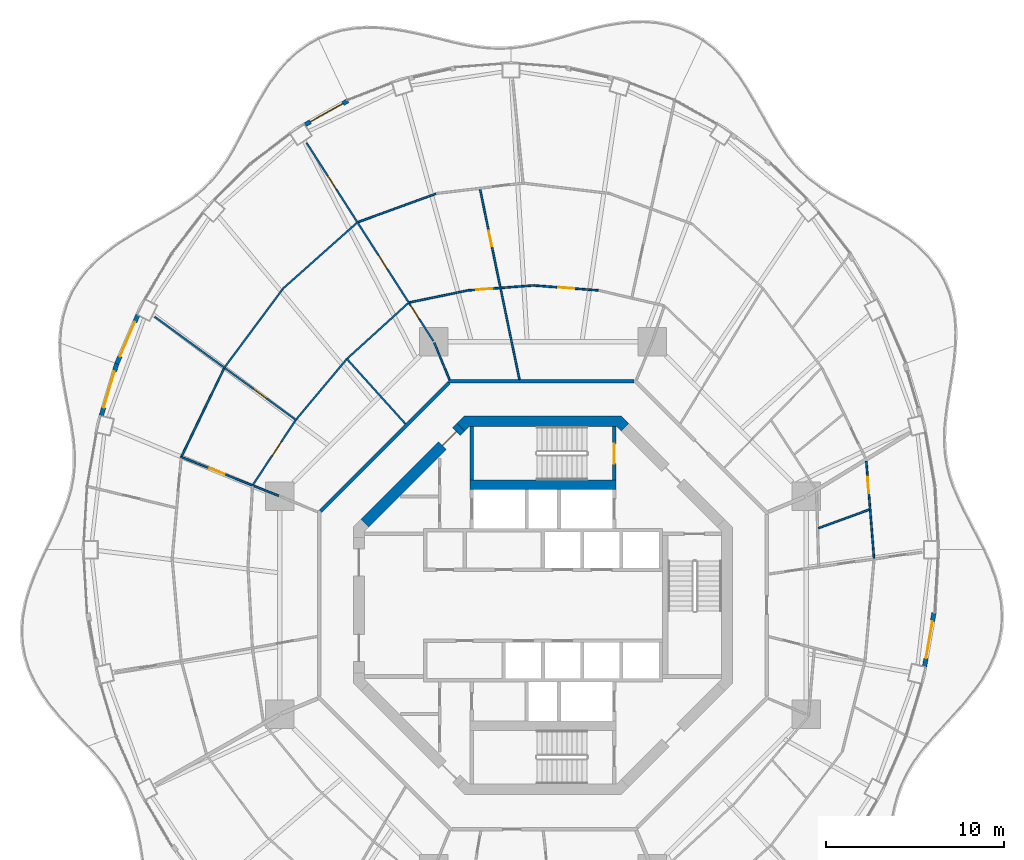
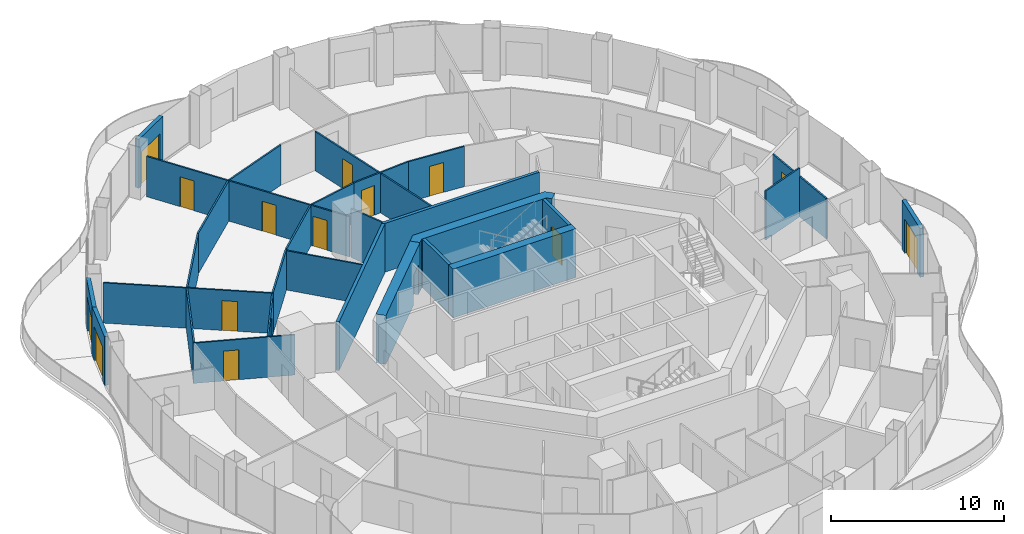
# One storey, part 13 of 18: 29 walls, 16 doors, 16 openings.
"""IFC4 building model written with IfcOpenShell, lengths in metres."""

from ifc_helpers import new_model, si_unit, direction, frame, frame_2d, origin, place, context, subcontext, project, spatial, polyline, rectangle, outline, extrude, material, layer, layer_set, type_object, element, fill, save


model = new_model("IFC4")

# Units and contexts
model_context = context("Model", 3, precision=1e-05, world=origin(), true_north=direction((0.0, 1.0)))
body_context = subcontext(model_context, "Body", "Model", "MODEL_VIEW")
ifc_project = project(units=[si_unit("LENGTHUNIT", "METRE"), si_unit("AREAUNIT", "SQUARE_METRE"), si_unit("VOLUMEUNIT", "CUBIC_METRE"), si_unit("PLANEANGLEUNIT", "RADIAN"), si_unit("MASSUNIT", "GRAM", prefix="KILO")], contexts=[model_context])

# Site, building, storey
site_placement = place(None, origin())
site = spatial("IfcSite", under=ifc_project, at=site_placement, CompositionType="ELEMENT")
building_placement = place(site_placement, origin())
building = spatial("IfcBuilding", under=site, at=building_placement, Name="Nagisa Residences", CompositionType="ELEMENT")
storey_placement = place(building_placement, frame((0.0, 0.0, 245.5)))
storey = spatial("IfcBuildingStorey", under=building, at=storey_placement, Name="L62", CompositionType="ELEMENT", Elevation=245.5)

# Walls
ifc_material_1 = material(Name="Gypsum board on steel studs", Category="steel")
ifc_layer_1 = layer(ifc_material_1, 0.199951171875)
ifc_layer_set_1 = layer_set([ifc_layer_1], Name="Apartment entry wall EI60 200")
wall_type_1 = type_object("IfcWallType", Name="Apartment entry wall EI60 200", PredefinedType="PARTITIONING", material=ifc_layer_set_1)
wall_1_placement = place(storey_placement, frame((5.1044921875, 12.564697265625, 0.0), z_axis=(0.0, 0.0, 1.0), x_axis=(-1.0, 0.0, 0.0)))
element("IfcWall", 1, at=wall_1_placement, inside=storey, type_object=wall_type_1, Name="wall:L62:u08", PredefinedType="PARTITIONING", context=body_context, shape_type="SweptSolid", body=[
    extrude(rectangle(XDim=10.408935546875, YDim=0.199951171875, at=frame_2d((5.20458984375, 0.0))), origin(), (0.0, 0.0, 1.0), 3.43994140625),
])
wall_2_placement = place(storey_placement, frame((-5.275146484375, 12.494140625, 0.0), z_axis=(0.0, 0.0, 1.0), x_axis=(-0.707106781187, -0.707106781187, 0.0)))
element("IfcWall", 2, at=wall_2_placement, inside=storey, type_object=wall_type_1, Name="wall:L62:u09", PredefinedType="PARTITIONING", context=body_context, shape_type="SweptSolid", body=[
    extrude(rectangle(XDim=10.209228515625, YDim=0.199951171875, at=frame_2d((5.1044921875, 0.0))), origin(), (0.0, 0.0, 1.0), 3.43994140625),
])

# Wall, opening, door
ifc_material_2 = material(Name="Gypsum board on steel studs", Category="steel")
ifc_layer_2 = layer(ifc_material_2, 0.10009765625)
ifc_layer_set_2 = layer_set([ifc_layer_2], Name="Apartment partition 100")
wall_type_2 = type_object("IfcWallType", Name="Apartment partition 100", PredefinedType="PARTITIONING", material=ifc_layer_set_2)
wall_3_placement = place(storey_placement, frame((18.578125, 2.64208984375, 0.0), z_axis=(0.0, 0.0, 1.0), x_axis=(-0.079188322924, 0.996859673932, 0.0)))
wall_3 = element("IfcWall", 3, at=wall_3_placement, inside=storey, type_object=wall_type_2, Name="wall:L62:u16", PredefinedType="PARTITIONING", context=body_context, shape_type="SweptSolid", body=[
    extrude(rectangle(XDim=5.453857421875, YDim=0.10009765625, at=frame_2d((2.72705078125, 0.0))), origin(), (0.0, 0.0, 1.0), 2.8369140625),
])
opening_1_placement = place(wall_3_placement, frame((3.653076171875, 0.0, 0.0)))
opening_1 = element("IfcOpeningElement", 4, at=opening_1_placement, cuts=wall_3, Name="Opening L62-U11", PredefinedType="OPENING", context=body_context, shape_type="SweptSolid", body=[
    extrude(rectangle(XDim=0.89990234375, YDim=2.10009765625, at=frame_2d((0.449951171875, 1.050048828125))), frame((0.0, 0.06005859375, 0.0), z_axis=(0.0, -1.0, 0.0), x_axis=(1.0, 0.0, 0.0)), (0.0, 0.0, 1.0), 0.1201171875),
])
ifc_material_3 = material(Name="Timber door set", Category="wood")
door_type_1 = type_object("IfcDoorType", Name="Apartment door 900x2100", OperationType="NOTDEFINED", PredefinedType="DOOR", material=ifc_material_3)
door_1_placement = place(opening_1_placement, origin())
door_1 = element("IfcDoor", 5, at=door_1_placement, inside=storey, type_object=door_type_1, Name="Door to en-suite bathroom, Apartment 62A", OperationType="SINGLE_SWING_LEFT", OverallHeight=2.10009765625, OverallWidth=0.89990234375, PredefinedType="DOOR", context=body_context, shape_type="SweptSolid", body=[
    extrude(rectangle(XDim=0.89990234375, YDim=2.10009765625, at=frame_2d((0.449951171875, 1.050048828125))), frame((0.0, 0.02490234375, 0.0), z_axis=(0.0, -1.0, 0.0), x_axis=(1.0, 0.0, 0.0)), (0.0, 0.0, 1.0), 0.050048828125),
])
fill(opening_1, door_1)

# Wall
wall_4_placement = place(storey_placement, frame((15.4599609375, 4.327392578125, 0.0), z_axis=(0.0, 0.0, 1.0), x_axis=(0.939452643938, 0.342678755977, 0.0)))
element("IfcWall", 6, at=wall_4_placement, inside=storey, type_object=wall_type_2, Name="wall:L62:u18", PredefinedType="PARTITIONING", context=body_context, shape_type="SweptSolid", body=[
    extrude(rectangle(XDim=3.037109375, YDim=0.10009765625, at=frame_2d((1.5185546875, 0.0))), origin(), (0.0, 0.0, 1.0), 3.43994140625),
])

# Wall, opening, door
wall_5_placement = place(storey_placement, frame((3.1005859375, 17.67138671875, 0.0), z_axis=(0.0, 0.0, 1.0), x_axis=(-0.997133705575, 0.075659587668, 0.0)))
wall_5 = element("IfcWall", 7, at=wall_5_placement, inside=storey, type_object=wall_type_2, Name="wall:L62:u33", PredefinedType="PARTITIONING", context=body_context, shape_type="SweptSolid", body=[
    extrude(rectangle(XDim=3.60107421875, YDim=0.10009765625, at=frame_2d((1.800537109375, 0.0))), origin(), (0.0, 0.0, 1.0), 2.8369140625),
])
opening_2_placement = place(wall_5_placement, frame((1.3505859375, 0.0, 0.0)))
opening_2 = element("IfcOpeningElement", 8, at=opening_2_placement, cuts=wall_5, Name="Opening L62-U31", PredefinedType="OPENING", context=body_context, shape_type="SweptSolid", body=[
    extrude(rectangle(XDim=0.89990234375, YDim=2.10009765625, at=frame_2d((0.449951171875, 1.050048828125))), frame((0.0, 0.06005859375, 0.0), z_axis=(0.0, -1.0, 0.0), x_axis=(1.0, 0.0, 0.0)), (0.0, 0.0, 1.0), 0.1201171875),
])
door_2_placement = place(opening_2_placement, origin())
door_2 = element("IfcDoor", 9, at=door_2_placement, inside=storey, type_object=door_type_1, Name="Door to store, Apartment 62B", OperationType="SINGLE_SWING_LEFT", OverallHeight=2.10009765625, OverallWidth=0.89990234375, PredefinedType="DOOR", context=body_context, shape_type="SweptSolid", body=[
    extrude(rectangle(XDim=0.89990234375, YDim=2.10009765625, at=frame_2d((0.449951171875, 1.050048828125))), frame((0.0, 0.02490234375, 0.0), z_axis=(0.0, -1.0, 0.0), x_axis=(1.0, 0.0, 0.0)), (0.0, 0.0, 1.0), 0.050048828125),
])
fill(opening_2, door_2)

wall_6_placement = place(storey_placement, frame((-0.490234375, 17.951416015625, 0.0), z_axis=(0.0, 0.0, 1.0), x_axis=(-0.99713329702, -0.075664971907, 0.0)))
wall_6 = element("IfcWall", 10, at=wall_6_placement, inside=storey, type_object=wall_type_2, Name="wall:L62:u35", PredefinedType="PARTITIONING", context=body_context, shape_type="SweptSolid", body=[
    extrude(rectangle(XDim=3.801025390625, YDim=0.10009765625, at=frame_2d((1.900390625, 0.0))), origin(), (0.0, 0.0, 1.0), 2.8369140625),
])
opening_3_placement = place(wall_6_placement, frame((2.375732421875, 0.0, 0.0)))
opening_3 = element("IfcOpeningElement", 11, at=opening_3_placement, cuts=wall_6, Name="Opening L62-U32", PredefinedType="OPENING", context=body_context, shape_type="SweptSolid", body=[
    extrude(rectangle(XDim=0.89990234375, YDim=2.10009765625, at=frame_2d((0.449951171875, 1.050048828125))), frame((0.0, 0.06005859375, 0.0), z_axis=(0.0, -1.0, 0.0), x_axis=(1.0, 0.0, 0.0)), (0.0, 0.0, 1.0), 0.1201171875),
])
door_3_placement = place(opening_3_placement, origin())
door_3 = element("IfcDoor", 12, at=door_3_placement, inside=storey, type_object=door_type_1, Name="Door to laundry, Apartment 62B", OperationType="SINGLE_SWING_RIGHT", OverallHeight=2.10009765625, OverallWidth=0.89990234375, PredefinedType="DOOR", context=body_context, shape_type="SweptSolid", body=[
    extrude(rectangle(XDim=0.89990234375, YDim=2.10009765625, at=frame_2d((0.449951171875, 1.050048828125))), frame((0.0, 0.02490234375, 0.0), z_axis=(0.0, -1.0, 0.0), x_axis=(1.0, 0.0, 0.0)), (0.0, 0.0, 1.0), 0.050048828125),
])
fill(opening_3, door_3)

wall_7_placement = place(storey_placement, frame((-1.3212890625, 12.66259765625, 0.0), z_axis=(0.0, 0.0, 1.0), x_axis=(-0.202499831859, 0.979282297449, 0.0)))
wall_7 = element("IfcWall", 13, at=wall_7_placement, inside=storey, type_object=wall_type_2, Name="wall:L62:u38", PredefinedType="PARTITIONING", context=body_context, shape_type="SweptSolid", body=[
    extrude(rectangle(XDim=10.91455078125, YDim=0.10009765625, at=frame_2d((5.457275390625, 0.0))), origin(), (0.0, 0.0, 1.0), 2.761962890625),
])
opening_4_placement = place(wall_7_placement, frame((7.63427734375, 0.0, 0.0)))
opening_4 = element("IfcOpeningElement", 14, at=opening_4_placement, cuts=wall_7, Name="Opening L62-U19", PredefinedType="OPENING", context=body_context, shape_type="SweptSolid", body=[
    extrude(rectangle(XDim=0.89990234375, YDim=2.10009765625, at=frame_2d((0.449951171875, 1.050048828125))), frame((0.0, 0.06005859375, 0.0), z_axis=(0.0, -1.0, 0.0), x_axis=(1.0, 0.0, 0.0)), (0.0, 0.0, 1.0), 0.1201171875),
])
door_4_placement = place(opening_4_placement, origin())
door_4 = element("IfcDoor", 15, at=door_4_placement, inside=storey, type_object=door_type_1, Name="Door to kitchen, Apartment 62B", OperationType="SINGLE_SWING_LEFT", OverallHeight=2.10009765625, OverallWidth=0.89990234375, PredefinedType="DOOR", context=body_context, shape_type="SweptSolid", body=[
    extrude(rectangle(XDim=0.89990234375, YDim=2.10009765625, at=frame_2d((0.449951171875, 1.050048828125))), frame((0.0, 0.02490234375, 0.0), z_axis=(0.0, -1.0, 0.0), x_axis=(1.0, 0.0, 0.0)), (0.0, 0.0, 1.0), 0.050048828125),
])
fill(opening_4, door_4)

# Walls
wall_8_placement = place(storey_placement, frame((-4.279541015625, 17.657470703125, 0.0), z_axis=(0.0, 0.0, 1.0), x_axis=(-0.979205232861, -0.202872156637, 0.0)))
element("IfcWall", 16, at=wall_8_placement, inside=storey, type_object=wall_type_2, Name="wall:L62:u39", PredefinedType="PARTITIONING", context=body_context, shape_type="SweptSolid", body=[
    extrude(rectangle(XDim=3.27099609375, YDim=0.10009765625, at=frame_2d((1.635498046875, 0.0))), origin(), (0.0, 0.0, 1.0), 2.8369140625),
])
wall_9_placement = place(storey_placement, frame((-6.01416015625, 23.093505859375, 0.0), z_axis=(0.0, 0.0, 1.0), x_axis=(-0.939417400947, -0.342775359089, 0.0)))
element("IfcWall", 17, at=wall_9_placement, inside=storey, type_object=wall_type_2, Name="wall:L62:u40", PredefinedType="PARTITIONING", context=body_context, shape_type="SweptSolid", body=[
    extrude(rectangle(XDim=4.632568359375, YDim=0.10009765625, at=frame_2d((2.31640625, 0.0))), origin(), (0.0, 0.0, 1.0), 2.8369140625),
])
wall_10_placement = place(storey_placement, frame((-5.24267578125, 12.6572265625, 0.0), z_axis=(0.0, 0.0, 1.0), x_axis=(-0.382757529444, 0.923848837015, 0.0)))
element("IfcWall", 18, at=wall_10_placement, inside=storey, type_object=wall_type_2, Name="wall:L62:u41", PredefinedType="PARTITIONING", context=body_context, shape_type="SweptSolid", body=[
    extrude(rectangle(XDim=2.249755859375, YDim=0.10009765625, at=frame_2d((1.125, 0.0))), origin(), (0.0, 0.0, 1.0), 3.43994140625),
])

# Wall, openings, doors
wall_11_placement = place(storey_placement, frame((-6.14990234375, 14.82421875, 0.0), z_axis=(0.0, 0.0, 1.0), x_axis=(-0.538870687577, 0.842388498301, 0.0)))
wall_11 = element("IfcWall", 19, at=wall_11_placement, inside=storey, type_object=wall_type_2, Name="wall:L62:u42", PredefinedType="PARTITIONING", context=body_context, shape_type="SweptSolid", body=[
    extrude(rectangle(XDim=13.212646484375, YDim=0.10009765625, at=frame_2d((6.6064453125, 0.0))), origin(), (0.0, 0.0, 1.0), 2.8369140625),
])
opening_5_placement = place(wall_11_placement, frame((4.787353515625, 0.0, 0.0)))
opening_5 = element("IfcOpeningElement", 20, at=opening_5_placement, cuts=wall_11, Name="Opening L62-U20", PredefinedType="OPENING", context=body_context, shape_type="SweptSolid", body=[
    extrude(rectangle(XDim=0.89990234375, YDim=2.10009765625, at=frame_2d((0.449951171875, 1.050048828125))), frame((0.0, 0.06005859375, 0.0), z_axis=(0.0, -1.0, 0.0), x_axis=(1.0, 0.0, 0.0)), (0.0, 0.0, 1.0), 0.1201171875),
])
opening_6_placement = place(wall_11_placement, frame((10.112060546875, 0.0, 0.0)))
opening_6 = element("IfcOpeningElement", 21, at=opening_6_placement, cuts=wall_11, Name="Opening L62-U27", PredefinedType="OPENING", context=body_context, shape_type="SweptSolid", body=[
    extrude(rectangle(XDim=0.89990234375, YDim=2.10009765625, at=frame_2d((0.449951171875, 1.050048828125))), frame((0.0, 0.06005859375, 0.0), z_axis=(0.0, -1.0, 0.0), x_axis=(1.0, 0.0, 0.0)), (0.0, 0.0, 1.0), 0.1201171875),
])
opening_7_placement = place(wall_11_placement, frame((1.4833984375, 0.0, 0.0)))
opening_7 = element("IfcOpeningElement", 22, at=opening_7_placement, cuts=wall_11, Name="Opening L62-U33", PredefinedType="OPENING", context=body_context, shape_type="SweptSolid", body=[
    extrude(rectangle(XDim=0.89990234375, YDim=2.10009765625, at=frame_2d((0.449951171875, 1.050048828125))), frame((0.0, 0.06005859375, 0.0), z_axis=(0.0, -1.0, 0.0), x_axis=(1.0, 0.0, 0.0)), (0.0, 0.0, 1.0), 0.1201171875),
])
door_5_placement = place(opening_5_placement, origin())
door_5 = element("IfcDoor", 23, at=door_5_placement, inside=storey, type_object=door_type_1, Name="Door to family room, Apartment 62B", OperationType="SINGLE_SWING_RIGHT", OverallHeight=2.10009765625, OverallWidth=0.89990234375, PredefinedType="DOOR", context=body_context, shape_type="SweptSolid", body=[
    extrude(rectangle(XDim=0.89990234375, YDim=2.10009765625, at=frame_2d((0.449951171875, 1.050048828125))), frame((0.0, 0.02490234375, 0.0), z_axis=(0.0, -1.0, 0.0), x_axis=(1.0, 0.0, 0.0)), (0.0, 0.0, 1.0), 0.050048828125),
])
fill(opening_5, door_5)
door_6_placement = place(opening_6_placement, origin())
door_6 = element("IfcDoor", 24, at=door_6_placement, inside=storey, type_object=door_type_1, Name="Door to family room, Apartment 62B", OperationType="SINGLE_SWING_LEFT", OverallHeight=2.10009765625, OverallWidth=0.89990234375, PredefinedType="DOOR", context=body_context, shape_type="SweptSolid", body=[
    extrude(rectangle(XDim=0.89990234375, YDim=2.10009765625, at=frame_2d((0.449951171875, 1.050048828125))), frame((0.0, 0.02490234375, 0.0), z_axis=(0.0, -1.0, 0.0), x_axis=(1.0, 0.0, 0.0)), (0.0, 0.0, 1.0), 0.050048828125),
])
fill(opening_6, door_6)
door_7_placement = place(opening_7_placement, origin())
door_7 = element("IfcDoor", 25, at=door_7_placement, inside=storey, type_object=door_type_1, Name="Door to store, Apartment 62B", OperationType="SINGLE_SWING_LEFT", OverallHeight=2.10009765625, OverallWidth=0.89990234375, PredefinedType="DOOR", context=body_context, shape_type="SweptSolid", body=[
    extrude(rectangle(XDim=0.89990234375, YDim=2.10009765625, at=frame_2d((0.449951171875, 1.050048828125))), frame((0.0, 0.02490234375, 0.0), z_axis=(0.0, -1.0, 0.0), x_axis=(1.0, 0.0, 0.0)), (0.0, 0.0, 1.0), 0.050048828125),
])
fill(opening_7, door_7)

# Walls
wall_12_placement = place(storey_placement, frame((-7.568359375, 16.949951171875, 0.0), z_axis=(0.0, 0.0, 1.0), x_axis=(-0.739848749506, -0.672773236577, 0.0)))
element("IfcWall", 26, at=wall_12_placement, inside=storey, type_object=wall_type_2, Name="wall:L62:u43", PredefinedType="PARTITIONING", context=body_context, shape_type="SweptSolid", body=[
    extrude(rectangle(XDim=4.59716796875, YDim=0.10009765625, at=frame_2d((2.298583984375, 0.0))), origin(), (0.0, 0.0, 1.0), 2.8369140625),
])
wall_13_placement = place(storey_placement, frame((-10.450439453125, 21.455322265625, 0.0), z_axis=(0.0, 0.0, 1.0), x_axis=(-0.747155565726, -0.664649201162, 0.0)))
element("IfcWall", 27, at=wall_13_placement, inside=storey, type_object=wall_type_2, Name="wall:L62:u44", PredefinedType="PARTITIONING", context=body_context, shape_type="SweptSolid", body=[
    extrude(rectangle(XDim=5.574951171875, YDim=0.10009765625, at=frame_2d((2.78759765625, 0.0))), origin(), (0.0, 0.0, 1.0), 2.8369140625),
])
wall_14_placement = place(storey_placement, frame((-7.724853515625, 10.185546875, 0.0), z_axis=(0.0, 0.0, 1.0), x_axis=(-0.669817301526, 0.742525947409, 0.0)))
element("IfcWall", 28, at=wall_14_placement, inside=storey, type_object=wall_type_2, Name="wall:L62:u45", PredefinedType="PARTITIONING", context=body_context, shape_type="SweptSolid", body=[
    extrude(rectangle(XDim=4.949462890625, YDim=0.10009765625, at=frame_2d((2.474609375, 0.0))), origin(), (0.0, 0.0, 1.0), 2.761962890625),
])
wall_15_placement = place(storey_placement, frame((-11.03857421875, 13.78515625, 0.0), z_axis=(0.0, 0.0, 1.0), x_axis=(-0.642258090087, -0.766488451131, 0.0)))
element("IfcWall", 29, at=wall_15_placement, inside=storey, type_object=wall_type_2, Name="wall:L62:u46", PredefinedType="PARTITIONING", context=body_context, shape_type="SweptSolid", body=[
    extrude(rectangle(XDim=4.36083984375, YDim=0.10009765625, at=frame_2d((2.180419921875, 0.0))), origin(), (0.0, 0.0, 1.0), 2.8369140625),
])
wall_16_placement = place(storey_placement, frame((-14.608154296875, 17.7431640625, 0.0), z_axis=(0.0, 0.0, 1.0), x_axis=(-0.596174489482, -0.8028548923, 0.0)))
element("IfcWall", 30, at=wall_16_placement, inside=storey, type_object=wall_type_2, Name="wall:L62:u47", PredefinedType="PARTITIONING", context=body_context, shape_type="SweptSolid", body=[
    extrude(rectangle(XDim=5.44189453125, YDim=0.10009765625, at=frame_2d((2.720947265625, 0.0))), origin(), (0.0, 0.0, 1.0), 2.8369140625),
])

# Wall, opening, door
wall_17_placement = place(storey_placement, frame((-13.8310546875, 10.374755859375, 0.0), z_axis=(0.0, 0.0, 1.0), x_axis=(-0.807534306161, 0.589820603551, 0.0)))
wall_17 = element("IfcWall", 31, at=wall_17_placement, inside=storey, type_object=wall_type_2, Name="wall:L62:u48", PredefinedType="PARTITIONING", context=body_context, shape_type="SweptSolid", body=[
    extrude(rectangle(XDim=9.870361328125, YDim=0.10009765625, at=frame_2d((4.93505859375, 0.0))), origin(), (0.0, 0.0, 1.0), 2.8369140625),
])
opening_8_placement = place(wall_17_placement, frame((2.08349609375, 0.0, 0.0)))
opening_8 = element("IfcOpeningElement", 32, at=opening_8_placement, cuts=wall_17, Name="Opening L62-U21", PredefinedType="OPENING", context=body_context, shape_type="SweptSolid", body=[
    extrude(rectangle(XDim=0.89990234375, YDim=2.10009765625, at=frame_2d((0.449951171875, 1.050048828125))), frame((0.0, 0.06005859375, 0.0), z_axis=(0.0, -1.0, 0.0), x_axis=(1.0, 0.0, 0.0)), (0.0, 0.0, 1.0), 0.1201171875),
])
door_8_placement = place(opening_8_placement, origin())
door_8 = element("IfcDoor", 33, at=door_8_placement, inside=storey, type_object=door_type_1, Name="Door to kitchen, Apartment 62B", OperationType="SINGLE_SWING_LEFT", OverallHeight=2.10009765625, OverallWidth=0.89990234375, PredefinedType="DOOR", context=body_context, shape_type="SweptSolid", body=[
    extrude(rectangle(XDim=0.89990234375, YDim=2.10009765625, at=frame_2d((0.449951171875, 1.050048828125))), frame((0.0, 0.02490234375, 0.0), z_axis=(0.0, -1.0, 0.0), x_axis=(1.0, 0.0, 0.0)), (0.0, 0.0, 1.0), 0.050048828125),
])
fill(opening_8, door_8)

wall_18_placement = place(storey_placement, frame((-13.899169921875, 10.362548828125, 0.0), z_axis=(0.0, 0.0, 1.0), x_axis=(-0.551268538455, -0.834327872308, 0.0)))
wall_18 = element("IfcWall", 34, at=wall_18_placement, inside=storey, type_object=wall_type_2, Name="wall:L62:u49", PredefinedType="PARTITIONING", context=body_context, shape_type="SweptSolid", body=[
    extrude(rectangle(XDim=4.307373046875, YDim=0.10009765625, at=frame_2d((2.15380859375, 0.0))), origin(), (0.0, 0.0, 1.0), 2.8369140625),
])
opening_9_placement = place(wall_18_placement, frame((1.43310546875, 0.0, 0.0)))
opening_9 = element("IfcOpeningElement", 35, at=opening_9_placement, cuts=wall_18, Name="Opening L62-U34", PredefinedType="OPENING", context=body_context, shape_type="SweptSolid", body=[
    extrude(rectangle(XDim=0.89990234375, YDim=2.10009765625, at=frame_2d((0.449951171875, 1.050048828125))), frame((0.0, 0.06005859375, 0.0), z_axis=(0.0, -1.0, 0.0), x_axis=(1.0, 0.0, 0.0)), (0.0, 0.0, 1.0), 0.1201171875),
])
door_9_placement = place(opening_9_placement, origin())
door_9 = element("IfcDoor", 36, at=door_9_placement, inside=storey, type_object=door_type_1, Name="Door to laundry, Apartment 62B", OperationType="SINGLE_SWING_RIGHT", OverallHeight=2.10009765625, OverallWidth=0.89990234375, PredefinedType="DOOR", context=body_context, shape_type="SweptSolid", body=[
    extrude(rectangle(XDim=0.89990234375, YDim=2.10009765625, at=frame_2d((0.449951171875, 1.050048828125))), frame((0.0, 0.02490234375, 0.0), z_axis=(0.0, -1.0, 0.0), x_axis=(1.0, 0.0, 0.0)), (0.0, 0.0, 1.0), 0.050048828125),
])
fill(opening_9, door_9)

# Wall
wall_19_placement = place(storey_placement, frame((-17.904052734375, 13.288818359375, 0.0), z_axis=(0.0, 0.0, 1.0), x_axis=(-0.434292070406, -0.900772111903, 0.0)))
element("IfcWall", 37, at=wall_19_placement, inside=storey, type_object=wall_type_2, Name="wall:L62:u50", PredefinedType="PARTITIONING", context=body_context, shape_type="SweptSolid", body=[
    extrude(rectangle(XDim=5.46875, YDim=0.10009765625, at=frame_2d((2.734375, 0.0))), origin(), (0.0, 0.0, 1.0), 2.8369140625),
])

# Wall, opening, door
wall_20_placement = place(storey_placement, frame((-14.82861328125, 6.141357421875, 0.0), z_axis=(0.0, 0.0, 1.0), x_axis=(-0.92919221305, 0.369596849563, 0.0)))
wall_20 = element("IfcWall", 38, at=wall_20_placement, inside=storey, type_object=wall_type_2, Name="wall:L62:u52", PredefinedType="PARTITIONING", context=body_context, shape_type="SweptSolid", body=[
    extrude(rectangle(XDim=5.939208984375, YDim=0.10009765625, at=frame_2d((2.9697265625, 0.0))), origin(), (0.0, 0.0, 1.0), 2.8369140625),
])
opening_10_placement = place(wall_20_placement, frame((3.287109375, 0.0, 0.0)))
opening_10 = element("IfcOpeningElement", 39, at=opening_10_placement, cuts=wall_20, Name="Opening L62-U22", PredefinedType="OPENING", context=body_context, shape_type="SweptSolid", body=[
    extrude(rectangle(XDim=0.89990234375, YDim=2.10009765625, at=frame_2d((0.449951171875, 1.050048828125))), frame((0.0, 0.06005859375, 0.0), z_axis=(0.0, -1.0, 0.0), x_axis=(1.0, 0.0, 0.0)), (0.0, 0.0, 1.0), 0.1201171875),
])
door_10_placement = place(opening_10_placement, origin())
door_10 = element("IfcDoor", 40, at=door_10_placement, inside=storey, type_object=door_type_1, Name="Door to dining room, Apartment 62B", OperationType="SINGLE_SWING_RIGHT", OverallHeight=2.10009765625, OverallWidth=0.89990234375, PredefinedType="DOOR", context=body_context, shape_type="SweptSolid", body=[
    extrude(rectangle(XDim=0.89990234375, YDim=2.10009765625, at=frame_2d((0.449951171875, 1.050048828125))), frame((0.0, 0.02490234375, 0.0), z_axis=(0.0, -1.0, 0.0), x_axis=(1.0, 0.0, 0.0)), (0.0, 0.0, 1.0), 0.050048828125),
])
fill(opening_10, door_10)

ifc_material_4 = material(Name="Precast concrete C40/50", Category="concrete")
ifc_layer_3 = layer(ifc_material_4, 0.25)
ifc_layer_set_3 = layer_set([ifc_layer_3], Name="BALCONY DOOR WALL 250")
wall_type_3 = type_object("IfcWallType", Name="BALCONY DOOR WALL 250", PredefinedType="SOLIDWALL", material=ifc_layer_set_3)
wall_21_placement = place(storey_placement, frame((-13.337890625, 26.973876953125, 0.0), z_axis=(0.0, 0.0, 1.0), x_axis=(0.872101280701, 0.489325409313, 0.0)))
wall_21 = element("IfcWall", 41, at=wall_21_placement, inside=storey, type_object=wall_type_3, Name="wall:L62:bay15", PredefinedType="SOLIDWALL", context=body_context, shape_type="SweptSolid", body=[
    extrude(rectangle(XDim=2.738037109375, YDim=0.25, at=frame_2d((1.369140625, 0.0))), origin(), (0.0, 0.0, 1.0), 3.43994140625),
])
opening_11_placement = place(wall_21_placement, frame((0.319091796875, 0.0, 0.0)))
opening_11 = element("IfcOpeningElement", 42, at=opening_11_placement, cuts=wall_21, Name="Opening BD-L62-06", PredefinedType="OPENING", context=body_context, shape_type="SweptSolid", body=[
    extrude(rectangle(XDim=2.10009765625, YDim=2.39990234375, at=frame_2d((1.050048828125, 1.199951171875))), frame((0.0, 0.135009765625, 0.0), z_axis=(0.0, -1.0, 0.0), x_axis=(1.0, 0.0, 0.0)), (0.0, 0.0, 1.0), 0.27001953125),
])
ifc_material_5 = material(Name="Aluminium and clear glass", Category="aluminium")
door_type_2 = type_object("IfcDoorType", Name="BALCONY SLIDING DOOR 2100x2400", OperationType="SLIDING_TO_LEFT", PredefinedType="DOOR", material=ifc_material_5)
door_11_placement = place(opening_11_placement, origin())
door_11 = element("IfcDoor", 43, at=door_11_placement, inside=storey, type_object=door_type_2, Name="door:L62:bay15", OperationType="SLIDING_TO_LEFT", OverallHeight=2.39990234375, OverallWidth=2.10009765625, PredefinedType="DOOR", context=body_context, shape_type="SweptSolid", body=[
    extrude(rectangle(XDim=2.10009765625, YDim=2.39990234375, at=frame_2d((1.050048828125, 1.199951171875))), frame((0.0, 0.02490234375, 0.0), z_axis=(0.0, -1.0, 0.0), x_axis=(1.0, 0.0, 0.0)), (0.0, 0.0, 1.0), 0.050048828125),
])
fill(opening_11, door_11)

wall_22_placement = place(storey_placement, frame((-23.923095703125, 13.5498046875, 0.0), z_axis=(0.0, 0.0, 1.0), x_axis=(0.397685034628, 0.917521996048, 0.0)))
wall_22 = element("IfcWall", 44, at=wall_22_placement, inside=storey, type_object=wall_type_3, Name="wall:L62:bay20", PredefinedType="SOLIDWALL", context=body_context, shape_type="SweptSolid", body=[
    extrude(rectangle(XDim=3.001953125, YDim=0.25, at=frame_2d((1.5009765625, 0.0))), origin(), (0.0, 0.0, 1.0), 3.43994140625),
])
opening_12_placement = place(wall_22_placement, frame((0.450927734375, 0.0, 0.0)))
opening_12 = element("IfcOpeningElement", 45, at=opening_12_placement, cuts=wall_22, Name="Opening BD-L62-07", PredefinedType="OPENING", context=body_context, shape_type="SweptSolid", body=[
    extrude(rectangle(XDim=2.10009765625, YDim=2.39990234375, at=frame_2d((1.050048828125, 1.199951171875))), frame((0.0, 0.135009765625, 0.0), z_axis=(0.0, -1.0, 0.0), x_axis=(1.0, 0.0, 0.0)), (0.0, 0.0, 1.0), 0.27001953125),
])
door_12_placement = place(opening_12_placement, origin())
door_12 = element("IfcDoor", 46, at=door_12_placement, inside=storey, type_object=door_type_2, Name="door:L62:bay20", OperationType="SLIDING_TO_LEFT", OverallHeight=2.39990234375, OverallWidth=2.10009765625, PredefinedType="DOOR", context=body_context, shape_type="SweptSolid", body=[
    extrude(rectangle(XDim=2.10009765625, YDim=2.39990234375, at=frame_2d((1.050048828125, 1.199951171875))), frame((0.0, 0.02490234375, 0.0), z_axis=(0.0, -1.0, 0.0), x_axis=(1.0, 0.0, 0.0)), (0.0, 0.0, 1.0), 0.050048828125),
])
fill(opening_12, door_12)

wall_23_placement = place(storey_placement, frame((-24.787109375, 10.650146484375, 0.0), z_axis=(0.0, 0.0, 1.0), x_axis=(0.285859454825, 0.95827155446, 0.0)))
wall_23 = element("IfcWall", 47, at=wall_23_placement, inside=storey, type_object=wall_type_3, Name="wall:L62:bay21", PredefinedType="SOLIDWALL", context=body_context, shape_type="SweptSolid", body=[
    extrude(rectangle(XDim=3.04052734375, YDim=0.25, at=frame_2d((1.520263671875, 0.0))), origin(), (0.0, 0.0, 1.0), 3.43994140625),
])
opening_13_placement = place(wall_23_placement, frame((0.47021484375, 0.0, 0.0)))
opening_13 = element("IfcOpeningElement", 48, at=opening_13_placement, cuts=wall_23, Name="Opening BD-L62-08", PredefinedType="OPENING", context=body_context, shape_type="SweptSolid", body=[
    extrude(rectangle(XDim=2.10009765625, YDim=2.39990234375, at=frame_2d((1.050048828125, 1.199951171875))), frame((0.0, 0.135009765625, 0.0), z_axis=(0.0, -1.0, 0.0), x_axis=(1.0, 0.0, 0.0)), (0.0, 0.0, 1.0), 0.27001953125),
])
door_13_placement = place(opening_13_placement, origin())
door_13 = element("IfcDoor", 49, at=door_13_placement, inside=storey, type_object=door_type_2, Name="door:L62:bay21", OperationType="SLIDING_TO_LEFT", OverallHeight=2.39990234375, OverallWidth=2.10009765625, PredefinedType="DOOR", context=body_context, shape_type="SweptSolid", body=[
    extrude(rectangle(XDim=2.10009765625, YDim=2.39990234375, at=frame_2d((1.050048828125, 1.199951171875))), frame((0.0, 0.02490234375, 0.0), z_axis=(0.0, -1.0, 0.0), x_axis=(1.0, 0.0, 0.0)), (0.0, 0.0, 1.0), 0.050048828125),
])
fill(opening_13, door_13)

wall_24_placement = place(storey_placement, frame((21.94091796875, -0.435791015625, 0.0), z_axis=(0.0, 0.0, 1.0), x_axis=(-0.172164083933, -0.985068286061, 0.0)))
wall_24 = element("IfcWall", 50, at=wall_24_placement, inside=storey, type_object=wall_type_3, Name="wall:L62:bay46", PredefinedType="SOLIDWALL", context=body_context, shape_type="SweptSolid", body=[
    extrude(rectangle(XDim=3.0673828125, YDim=0.25, at=frame_2d((1.53369140625, 0.0))), origin(), (0.0, 0.0, 1.0), 3.43994140625),
])
opening_14_placement = place(wall_24_placement, frame((0.483642578125, 0.0, 0.0)))
opening_14 = element("IfcOpeningElement", 51, at=opening_14_placement, cuts=wall_24, Name="Opening BD-L62-16", PredefinedType="OPENING", context=body_context, shape_type="SweptSolid", body=[
    extrude(rectangle(XDim=2.10009765625, YDim=2.39990234375, at=frame_2d((1.050048828125, 1.199951171875))), frame((0.0, 0.135009765625, 0.0), z_axis=(0.0, -1.0, 0.0), x_axis=(1.0, 0.0, 0.0)), (0.0, 0.0, 1.0), 0.27001953125),
])
door_14_placement = place(opening_14_placement, origin())
door_14 = element("IfcDoor", 52, at=door_14_placement, inside=storey, type_object=door_type_2, Name="door:L62:bay46", OperationType="SLIDING_TO_LEFT", OverallHeight=2.39990234375, OverallWidth=2.10009765625, PredefinedType="DOOR", context=body_context, shape_type="SweptSolid", body=[
    extrude(rectangle(XDim=2.10009765625, YDim=2.39990234375, at=frame_2d((1.050048828125, 1.199951171875))), frame((0.0, 0.02490234375, 0.0), z_axis=(0.0, -1.0, 0.0), x_axis=(1.0, 0.0, 0.0)), (0.0, 0.0, 1.0), 0.050048828125),
])
fill(opening_14, door_14)

ifc_material_6 = material(Name="Concrete C60", Category="concrete")
ifc_layer_4 = layer(ifc_material_6, 0.60009765625)
ifc_layer_set_4 = layer_set([ifc_layer_4], Name="Core shear wall 600")
wall_type_4 = type_object("IfcWallType", Name="Core shear wall 600", PredefinedType="SHEAR", material=ifc_layer_set_4)
wall_25_placement = place(storey_placement, frame((-4.613037109375, 9.98828125, 0.0), z_axis=(0.0, 0.0, 1.0), x_axis=(-0.707106781187, -0.707106781187, 0.0)))
wall_25 = element("IfcWall", 53, at=wall_25_placement, inside=storey, type_object=wall_type_4, Name="wall:L62:core:flat3", PredefinedType="SHEAR", context=body_context, shape_type="SweptSolid", body=[
    extrude(rectangle(XDim=7.601806640625, YDim=0.60009765625, at=frame_2d((3.80078125, 0.0))), origin(), (0.0, 0.0, 1.0), 3.43994140625),
])
opening_15_placement = place(wall_25_placement, frame((0.350830078125, 0.0, 0.0)))
opening_15 = element("IfcOpeningElement", 54, at=opening_15_placement, cuts=wall_25, Name="Opening L62-C23", PredefinedType="OPENING", context=body_context, shape_type="SweptSolid", body=[
    extrude(rectangle(XDim=1.10009765625, YDim=2.10009765625, at=frame_2d((0.550048828125, 1.050048828125))), frame((0.0, 0.31005859375, 0.0), z_axis=(0.0, -1.0, 0.0), x_axis=(1.0, 0.0, 0.0)), (0.0, 0.0, 1.0), 0.6201171875),
])
ifc_material_7 = material(Name="Steel fire door", Category="steel")
door_type_3 = type_object("IfcDoorType", Name="Fire door EI60 1100x2100 single swing", OperationType="NOTDEFINED", PredefinedType="DOOR", material=ifc_material_7)
door_15_placement = place(opening_15_placement, origin())
door_15 = element("IfcDoor", 55, at=door_15_placement, inside=storey, type_object=door_type_3, Name="Service lobby door L62", OperationType="SINGLE_SWING_RIGHT", OverallHeight=2.10009765625, OverallWidth=1.10009765625, PredefinedType="DOOR", context=body_context, shape_type="SweptSolid", body=[
    extrude(rectangle(XDim=1.10009765625, YDim=2.10009765625, at=frame_2d((0.550048828125, 1.050048828125))), frame((0.0, 0.02490234375, 0.0), z_axis=(0.0, -1.0, 0.0), x_axis=(1.0, 0.0, 0.0)), (0.0, 0.0, 1.0), 0.050048828125),
])
fill(opening_15, door_15)

# Wall
wall_26_placement = place(storey_placement, origin())
element("IfcWall", 56, at=wall_26_placement, inside=storey, type_object=wall_type_4, Name="wall:L62:core:flat2", PredefinedType="SHEAR", context=body_context, shape_type="SweptSolid", body=[
    extrude(outline(polyline([(-4.15234375, 10.024658203125), (-4.40087890625, 9.776123046875), (-4.8251953125, 10.200439453125), (-4.40087890625, 10.62451171875), (4.40087890625, 10.62451171875), (4.8251953125, 10.200439453125), (4.40087890625, 9.776123046875), (4.15234375, 10.024658203125), (-4.15234375, 10.024658203125)])), origin(), (0.0, 0.0, 1.0), 3.43994140625),
])

# Wall, opening, door
ifc_material_8 = material(Name="Concrete C60", Category="concrete")
ifc_layer_5 = layer(ifc_material_8, 0.199951171875)
ifc_layer_set_5 = layer_set([ifc_layer_5], Name="Stair enclosure wall 200")
wall_type_5 = type_object("IfcWallType", Name="Stair enclosure wall 200", PredefinedType="SOLIDWALL", material=ifc_layer_set_5)
wall_27_placement = place(storey_placement, frame((4.0, 7.024658203125, 0.0), z_axis=(0.0, 0.0, 1.0), x_axis=(0.0, 1.0, 0.0)))
wall_27 = element("IfcWall", 57, at=wall_27_placement, inside=storey, type_object=wall_type_5, Name="wall:L62:SN_e", PredefinedType="SOLIDWALL", context=body_context, shape_type="SweptSolid", body=[
    extrude(rectangle(XDim=3.0, YDim=0.199951171875, at=frame_2d((1.5, 0.0))), origin(), (0.0, 0.0, 1.0), 3.43994140625),
])
opening_16_placement = place(wall_27_placement, frame((0.92529296875, 0.0, 0.0)))
opening_16 = element("IfcOpeningElement", 58, at=opening_16_placement, cuts=wall_27, Name="Opening L62-C09", PredefinedType="OPENING", context=body_context, shape_type="SweptSolid", body=[
    extrude(rectangle(XDim=1.10009765625, YDim=2.10009765625, at=frame_2d((0.550048828125, 1.050048828125))), frame((0.0, 0.10986328125, 0.0), z_axis=(0.0, -1.0, 0.0), x_axis=(1.0, 0.0, 0.0)), (0.0, 0.0, 1.0), 0.219970703125),
])
ifc_material_9 = material(Name="Steel fire door", Category="steel")
door_type_4 = type_object("IfcDoorType", Name="Fire door EI90 1100x2100 single swing", OperationType="NOTDEFINED", PredefinedType="DOOR", material=ifc_material_9)
door_16_placement = place(opening_16_placement, origin())
door_16 = element("IfcDoor", 59, at=door_16_placement, inside=storey, type_object=door_type_4, Name="Stair door ST-N L62", OperationType="SINGLE_SWING_RIGHT", OverallHeight=2.10009765625, OverallWidth=1.10009765625, PredefinedType="DOOR", context=body_context, shape_type="SweptSolid", body=[
    extrude(rectangle(XDim=1.10009765625, YDim=2.10009765625, at=frame_2d((0.550048828125, 1.050048828125))), frame((0.0, 0.02490234375, 0.0), z_axis=(0.0, -1.0, 0.0), x_axis=(1.0, 0.0, 0.0)), (0.0, 0.0, 1.0), 0.050048828125),
])
fill(opening_16, door_16)

# Walls
wall_28_placement = place(storey_placement, origin())
element("IfcWall", 60, at=wall_28_placement, inside=storey, type_object=wall_type_5, Name="wall:L62:SN_w", PredefinedType="SOLIDWALL", context=body_context, shape_type="SweptSolid", body=[
    extrude(outline(polyline([(-3.89990234375, 7.024658203125), (-4.10009765625, 7.024658203125), (-4.10009765625, 10.024658203125), (-3.89990234375, 10.024658203125), (-3.89990234375, 7.024658203125)])), origin(), (0.0, 0.0, 1.0), 3.43994140625),
])
wall_29_placement = place(storey_placement, origin())
element("IfcWall", 61, at=wall_29_placement, inside=storey, type_object=wall_type_5, Name="wall:L62:SN_s", PredefinedType="SOLIDWALL", context=body_context, shape_type="SweptSolid", body=[
    extrude(outline(polyline([(4.10009765625, 6.5), (-4.10009765625, 6.5), (-4.10009765625, 7.024658203125), (4.10009765625, 7.024658203125), (4.10009765625, 6.5)])), origin(), (0.0, 0.0, 1.0), 3.43994140625),
])

save(model, "model.ifc")
